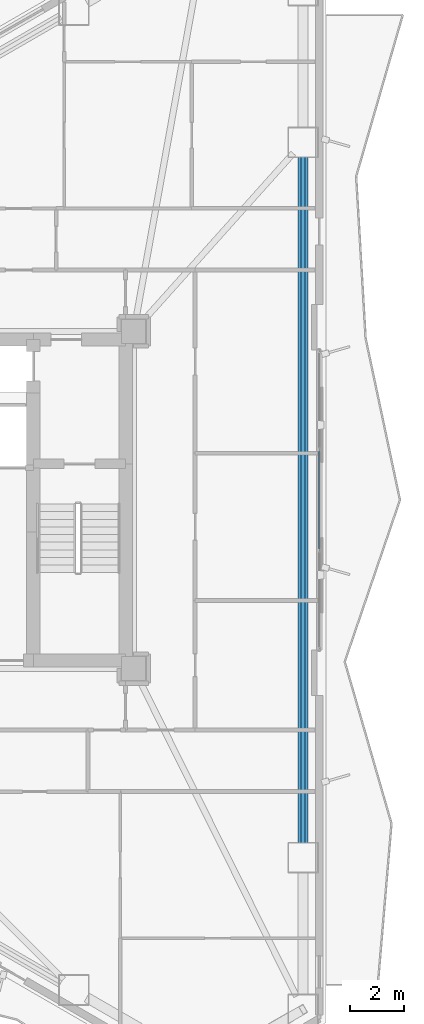
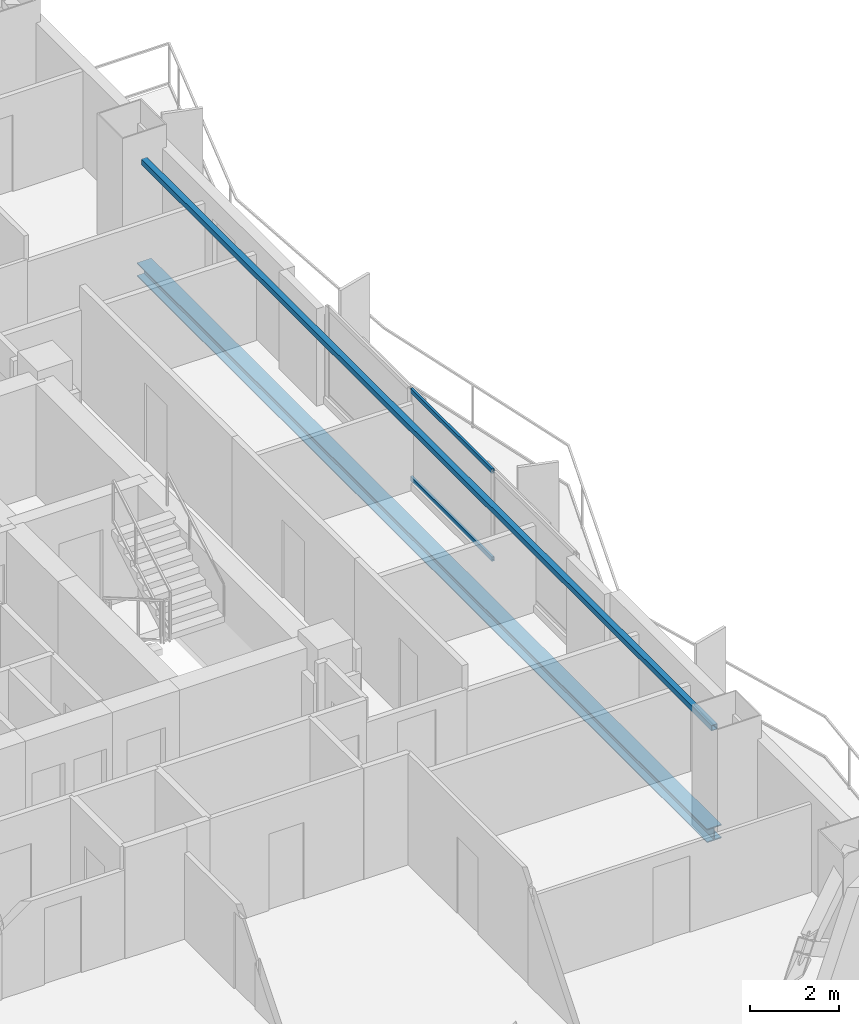
# One storey, part 9 of 22: 2 beams, 2 members, 1 element without a shape of its own.
"""IFC4 building model written with IfcOpenShell, lengths in metres."""

from ifc_helpers import new_model, si_unit, direction, frame, origin, origin_2d, place, context, subcontext, project, spatial, hollow_rectangle, i_section, extrude, material, layer, layer_set, material_profile, profile_set, type_object, element, aggregate, save


model = new_model("IFC4")

# Units and contexts
model_context = context("Model", 3, precision=1e-05, world=origin(), true_north=direction((0.0, 1.0)))
body_context = subcontext(model_context, "Body", "Model", "MODEL_VIEW")
ifc_project = project(units=[si_unit("LENGTHUNIT", "METRE"), si_unit("AREAUNIT", "SQUARE_METRE"), si_unit("VOLUMEUNIT", "CUBIC_METRE"), si_unit("PLANEANGLEUNIT", "RADIAN"), si_unit("MASSUNIT", "GRAM", prefix="KILO")], contexts=[model_context])

# Site, building, storey
site_placement = place(None, origin())
site = spatial("IfcSite", under=ifc_project, at=site_placement, CompositionType="ELEMENT")
building_placement = place(site_placement, origin())
building = spatial("IfcBuilding", under=site, at=building_placement, Name="Mersakhor Tower and Convention Hall", CompositionType="ELEMENT")
storey_placement = place(building_placement, frame((0.0, 0.0, 86.699951171875)))
storey = spatial("IfcBuildingStorey", under=building, at=storey_placement, Name="L23", CompositionType="ELEMENT", Elevation=86.699951171875)

# Beams
ifc_material_1 = material(Name="Steel S355", Category="steel")
ifc_material_profile_1 = material_profile(ifc_material_1, hollow_rectangle(XDim=0.14990234375, YDim=0.14990234375, WallThickness=0.010009765625, at=origin_2d()), Name="SHS 150x150x10")
ifc_profile_set_1 = profile_set([ifc_material_profile_1], Name="Steel S355")
beam_type_1 = type_object("IfcBeamType", Name="BM-GRT-SHS150", PredefinedType="USERDEFINED", material=ifc_profile_set_1)
beam_1_placement = place(storey_placement, frame((42.4345703125, 39.566650390625, 2.47998046875), z_axis=(0.0, -1.0, 0.0), x_axis=(1.0, 0.0, 0.0)))
element("IfcBeam", 1, at=beam_1_placement, inside=storey, type_object=beam_type_1, Name="L23 Facade Support Girt GRT-F2", ObjectType="GIRT", PredefinedType="USERDEFINED", context=body_context, shape_type="SweptSolid", body=[
    extrude(hollow_rectangle(XDim=0.14990234375, YDim=0.14990234375, WallThickness=0.010009765625, at=origin_2d()), origin(), (0.0, 0.0, 1.0), 25.63330078125),
])
ifc_material_2 = material(Name="Steel S355", Category="steel")
ifc_material_profile_2 = material_profile(ifc_material_2, i_section(OverallWidth=0.374755859375, OverallDepth=0.37451171875, WebThickness=0.0166015625, FlangeThickness=0.027099609375, at=origin_2d()), Name="UC 356x368x202")
ifc_profile_set_2 = profile_set([ifc_material_profile_2], Name="Steel S355")
beam_type_2 = type_object("IfcBeamType", Name="BM-SPD-UC356", PredefinedType="SPANDREL", material=ifc_profile_set_2)
beam_2_placement = place(storey_placement, frame((42.4345703125, 39.566650390625, -0.437255859375), z_axis=(0.0, -1.0, 0.0), x_axis=(1.0, 0.0, 0.0)))
element("IfcBeam", 2, at=beam_2_placement, inside=storey, type_object=beam_type_2, Name="L23 Perimeter Spandrel Beam SPB-06", PredefinedType="SPANDREL", context=body_context, shape_type="SweptSolid", body=[
    extrude(i_section(OverallWidth=0.374755859375, OverallDepth=0.37451171875, WebThickness=0.0166015625, FlangeThickness=0.027099609375, at=origin_2d()), origin(), (0.0, 0.0, 1.0), 25.63330078125),
])

# Curtain wall, members
ifc_material_3 = material(Name="Dark solar low-E aluminium curtain wall", Category="aluminium")
ifc_layer = layer(ifc_material_3, 0.159912109375)
ifc_layer_set = layer_set([ifc_layer], Name="Dark solar low-E aluminium curtain wall")
curtain_wall_type = type_object("IfcCurtainWallType", Name="CW-SYS-01", PredefinedType="USERDEFINED", material=ifc_layer_set)
curtain_wall_placement = place(storey_placement, origin())
curtain_wall = element("IfcCurtainWall", 3, at=curtain_wall_placement, inside=storey, type_object=curtain_wall_type, Name="L23 Dark-Glass Curtain Wall F2-B2", ObjectType="CURTAIN WALL", PredefinedType="USERDEFINED")
ifc_material_4 = material(Name="Anodised aluminium EN AW-6063 T6", Category="aluminium")
ifc_material_profile_3 = material_profile(ifc_material_4, hollow_rectangle(XDim=0.06005859375, YDim=0.1201171875, WallThickness=0.0048828125, at=origin_2d()), Name="RHS 120x60x5")
ifc_profile_set_3 = profile_set([ifc_material_profile_3], Name="Anodised aluminium EN AW-6063 T6")
member_type = type_object("IfcMemberType", Name="CWT-120x60", PredefinedType="USERDEFINED", material=ifc_profile_set_3)
member_1_placement = place(storey_placement, frame((43.03466796875, 28.583984375, 0.22998046875), z_axis=(0.0, -1.0, 0.0), x_axis=(1.0, 0.0, 0.0)))
member_1 = element("IfcMember", 4, at=member_1_placement, type_object=member_type, Name="CW-01 transom 2.1", ObjectType="TRANSOM", PredefinedType="USERDEFINED", context=body_context, shape_type="SweptSolid", body=[
    extrude(hollow_rectangle(XDim=0.06005859375, YDim=0.1201171875, WallThickness=0.0048828125, at=origin_2d()), origin(), (0.0, 0.0, 1.0), 3.66796875),
])
member_2_placement = place(storey_placement, frame((43.03466796875, 28.583984375, 2.64013671875), z_axis=(0.0, -1.0, 0.0), x_axis=(1.0, 0.0, 0.0)))
member_2 = element("IfcMember", 5, at=member_2_placement, type_object=member_type, Name="CW-01 transom 2.2", ObjectType="TRANSOM", PredefinedType="USERDEFINED", context=body_context, shape_type="SweptSolid", body=[
    extrude(hollow_rectangle(XDim=0.06005859375, YDim=0.1201171875, WallThickness=0.0048828125, at=origin_2d()), origin(), (0.0, 0.0, 1.0), 3.66796875),
])
aggregate(curtain_wall, [member_1, member_2])

save(model, "model.ifc")
